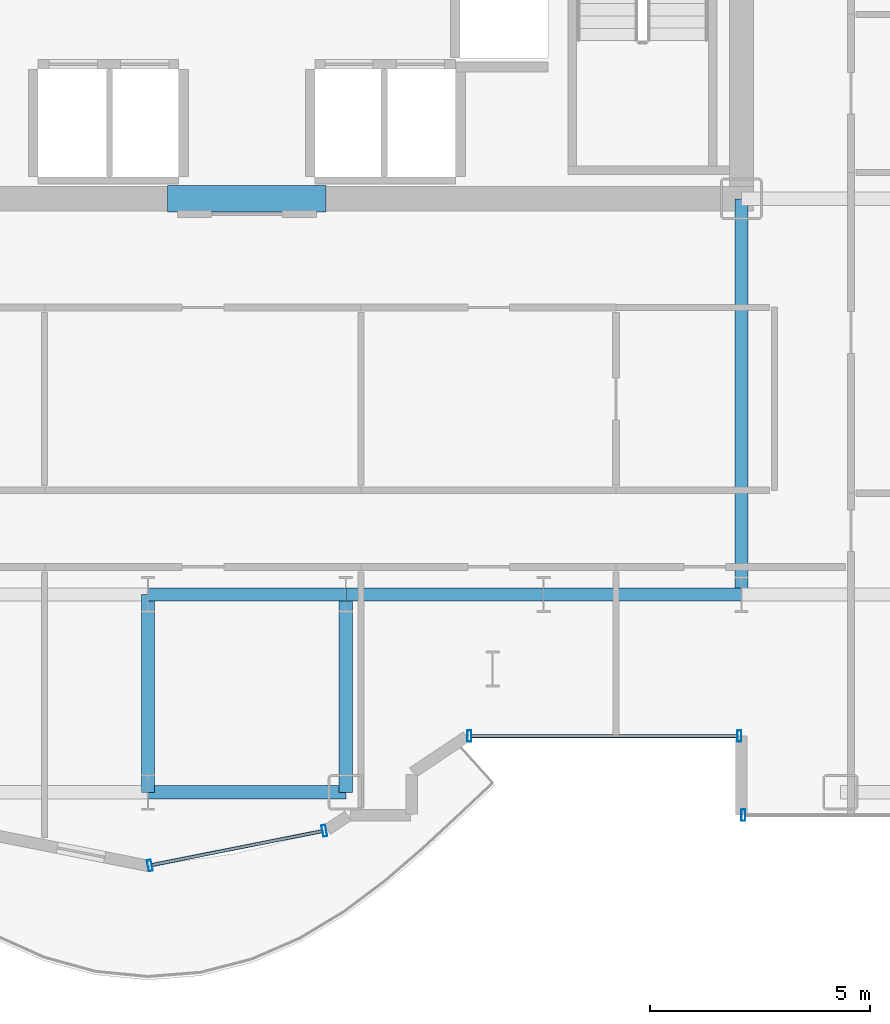
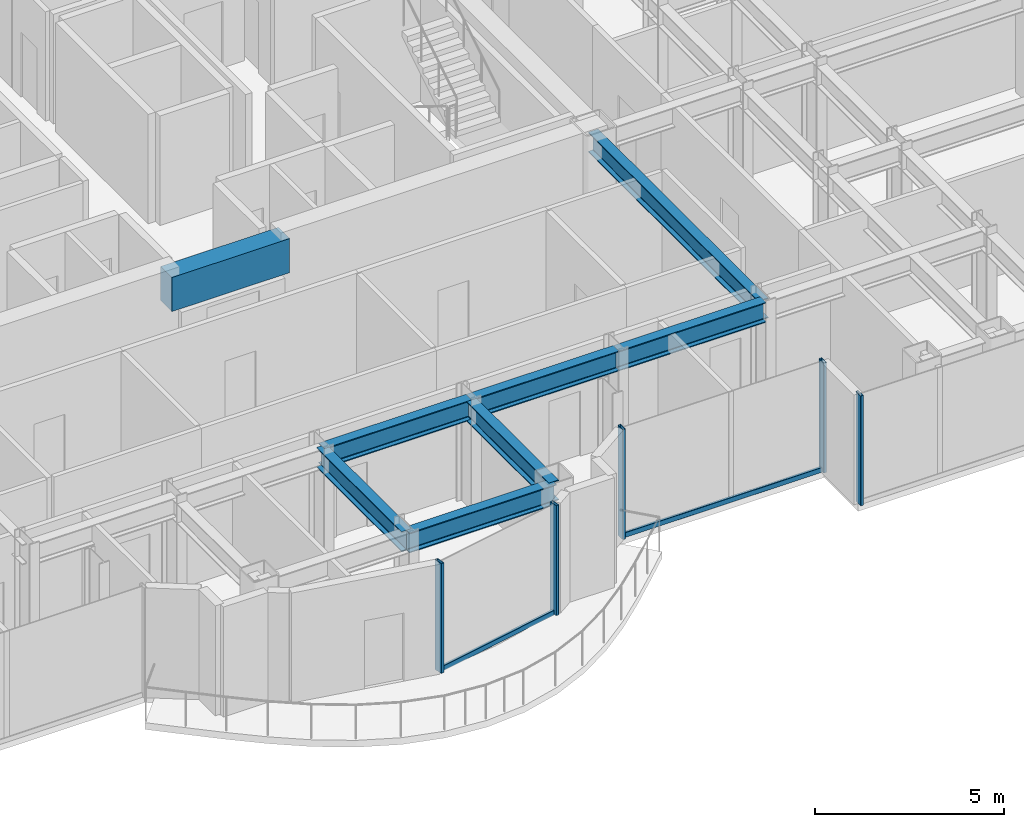
# One storey, part 7 of 23: 8 beams, 7 members, 3 elements without a shape of their own.
"""IFC4 building model written with IfcOpenShell, lengths in metres."""

from ifc_helpers import new_model, si_unit, direction, frame, origin, origin_2d, place, context, subcontext, project, spatial, rectangle, hollow_rectangle, i_section, extrude, source, transform, mapped, material, layer, layer_set, material_profile, profile_set, type_object, element, aggregate, save


model = new_model("IFC4")

# Units and contexts
model_context = context("Model", 3, precision=1e-05, world=origin(), true_north=direction((0.0, 1.0)))
body_context = subcontext(model_context, "Body", "Model", "MODEL_VIEW")
ifc_project = project(units=[si_unit("LENGTHUNIT", "METRE"), si_unit("AREAUNIT", "SQUARE_METRE"), si_unit("VOLUMEUNIT", "CUBIC_METRE"), si_unit("PLANEANGLEUNIT", "RADIAN"), si_unit("MASSUNIT", "GRAM", prefix="KILO")], contexts=[model_context])

# Site, building, storey
site_placement = place(None, origin())
site = spatial("IfcSite", under=ifc_project, at=site_placement, CompositionType="ELEMENT")
building_placement = place(site_placement, origin())
building = spatial("IfcBuilding", under=site, at=building_placement, Name="Nefas-Gora Pilgrimage Tower", CompositionType="ELEMENT")
storey_placement = place(building_placement, frame((0.0, 0.0, 156.39990234375)))
storey = spatial("IfcBuildingStorey", under=building, at=storey_placement, Name="L38", CompositionType="ELEMENT", Elevation=156.39990234375)

# Beams
ifc_material_1 = material(Name="Concrete C60/75", Category="concrete")
ifc_material_profile_1 = material_profile(ifc_material_1, rectangle(XDim=0.60009765625, YDim=1.10009765625, at=origin_2d()), Name="RC 600x1100")
ifc_profile_set_1 = profile_set([ifc_material_profile_1], Name="Concrete C60/75")
beam_type_1 = type_object("IfcBeamType", Name="BM-LIN-RC1100", PredefinedType="LINTEL", material=ifc_profile_set_1)
shared_shape_1 = source(origin(), body_context, "Body", "SweptSolid", [
    extrude(rectangle(XDim=0.60009765625, YDim=1.10009765625, at=origin_2d()), origin(), (0.0, 0.0, 1.0), 3.60009765625),
])
beam_1_placement = place(storey_placement, frame((-1.800048828125, -9.0, 3.0), z_axis=(1.0, 0.0, 0.0), x_axis=(0.0, 1.0, 0.0)))
element("IfcBeam", 1, at=beam_1_placement, inside=storey, type_object=beam_type_1, Name="L38 Core Coupling Lintel Beam S", PredefinedType="LINTEL", context=body_context, shape_type="MappedRepresentation", body=[
    mapped(shared_shape_1, transform((0.0, 0.0, 0.0), x_axis=(1.0, 0.0, 0.0), y_axis=(0.0, 1.0, 0.0), z_axis=(0.0, 0.0, 1.0), scale=1.0)),
])
ifc_material_2 = material(Name="Steel S355", Category="steel")
ifc_material_profile_2 = material_profile(ifc_material_2, i_section(OverallWidth=0.300048828125, OverallDepth=0.64990234375, WebThickness=0.01611328125, FlangeThickness=0.031005859375, FilletRadius=0.027099609375, at=origin_2d()), Name="HEB 650")
ifc_profile_set_2 = profile_set([ifc_material_profile_2], Name="Steel S355")
beam_type_2 = type_object("IfcBeamType", Name="BM-GIR-HEB650", PredefinedType="BEAM", material=ifc_profile_set_2)
shared_shape_2 = source(origin(), body_context, "Body", "SweptSolid", [
    extrude(i_section(OverallWidth=0.300048828125, OverallDepth=0.64990234375, WebThickness=0.01611328125, FlangeThickness=0.031005859375, FilletRadius=0.027099609375, at=origin_2d()), origin(), (0.0, 0.0, 1.0), 9.0),
])
beam_2_placement = place(storey_placement, frame((11.25, -18.0, 3.22509765625), z_axis=(0.0, 1.0, 0.0), x_axis=(-1.0, 0.0, 0.0)))
element("IfcBeam", 2, at=beam_2_placement, inside=storey, type_object=beam_type_2, Name="L38 G-03 beam", PredefinedType="BEAM", context=body_context, shape_type="MappedRepresentation", body=[
    mapped(shared_shape_2, transform((0.0, 0.0, 0.0), x_axis=(1.0, 0.0, 0.0), y_axis=(0.0, 1.0, 0.0), z_axis=(0.0, 0.0, 1.0), scale=1.0)),
])
shared_shape_3 = source(origin(), body_context, "Body", "SweptSolid", [
    extrude(i_section(OverallWidth=0.300048828125, OverallDepth=0.64990234375, WebThickness=0.01611328125, FlangeThickness=0.031005859375, FilletRadius=0.027099609375, at=origin_2d()), origin(), (0.0, 0.0, 1.0), 4.5),
])
for number, where, z_axis, x_axis, name in (
    (3, (-2.25, -22.5, 3.22509765625), (0.0, 1.0, 0.0), (-1.0, 0.0, 0.0), "L38 G-03 beam"),
    (4, (-2.25, -22.5, 3.22509765625), (1.0, 0.0, 0.0), (0.0, 1.0, 0.0), "L38 G-03 beam"),
    (5, (-2.25, -18.0, 3.22509765625), (1.0, 0.0, 0.0), (0.0, 1.0, 0.0), "L38 G-03 beam"),
    (6, (2.25, -22.5, 3.22509765625), (0.0, 1.0, 0.0), (-1.0, 0.0, 0.0), "L38 G-03 beam"),
    (7, (2.25, -18.0, 3.22509765625), (1.0, 0.0, 0.0), (0.0, 1.0, 0.0), "L38 G-03 beam"),
    (8, (6.75, -18.0, 3.22509765625), (1.0, 0.0, 0.0), (0.0, 1.0, 0.0), "L38 G-03 beam"),
):
    element("IfcBeam", number, at=place(storey_placement, frame(where, z_axis=z_axis, x_axis=x_axis)), inside=storey, type_object=beam_type_2, Name=name, PredefinedType="BEAM", context=body_context, shape_type="MappedRepresentation", body=[
        mapped(shared_shape_3, transform((0.0, 0.0, 0.0), x_axis=(1.0, 0.0, 0.0), y_axis=(0.0, 1.0, 0.0), z_axis=(0.0, 0.0, 1.0), scale=1.0)),
    ])

# Curtain wall, members
ifc_material_3 = material(Name="Dark ceramic-fritted solar-control aluminium-glass curtain wall", Category="aluminium")
ifc_layer_1 = layer(ifc_material_3, 0.219970703125)
ifc_layer_set_1 = layer_set([ifc_layer_1], Name="Dark ceramic-fritted solar-control aluminium-glass curtain wall")
curtain_wall_type_1 = type_object("IfcCurtainWallType", Name="CW-SYS-5", PredefinedType="NOTDEFINED", material=ifc_layer_set_1)
curtain_wall_1_placement = place(storey_placement, origin())
curtain_wall_1 = element("IfcCurtainWall", 9, at=curtain_wall_1_placement, inside=storey, type_object=curtain_wall_type_1, Name="L38 Unitised Curtain Wall CW5", PredefinedType="NOTDEFINED")
ifc_material_4 = material(Name="Anodised architectural aluminium", Category="aluminium")
ifc_material_profile_3 = material_profile(ifc_material_4, hollow_rectangle(XDim=0.090087890625, YDim=0.260009765625, WallThickness=0.006103515625, InnerFilletRadius=0.006103515625, OuterFilletRadius=0.011962890625, at=origin_2d()), Name="ALU MULLION 90x260")
ifc_profile_set_3 = profile_set([ifc_material_profile_3], Name="Anodised architectural aluminium")
member_type_1 = type_object("IfcMemberType", Name="CWM-MUL-5", PredefinedType="MULLION", material=ifc_profile_set_3)
shared_shape_4 = source(origin(), body_context, "Body", "SweptSolid", [
    extrude(hollow_rectangle(XDim=0.090087890625, YDim=0.260009765625, WallThickness=0.006103515625, InnerFilletRadius=0.006103515625, OuterFilletRadius=0.011962890625, at=origin_2d()), origin(), (0.0, 0.0, 1.0), 3.550048828125),
])
member_1_placement = place(storey_placement, frame((5.06298828125, -21.219970703125, 0.0), z_axis=(0.0, 0.0, 1.0), x_axis=(1.0, 0.0, 0.0)))
member_1 = element("IfcMember", 10, at=member_1_placement, type_object=member_type_1, Name="CW5 Mullion 1", PredefinedType="MULLION", context=body_context, shape_type="MappedRepresentation", body=[
    mapped(shared_shape_4, transform((0.0, 0.0, 0.0), x_axis=(1.0, 0.0, 0.0), y_axis=(0.0, 1.0, 0.0), z_axis=(0.0, 0.0, 1.0), scale=1.0)),
])
member_2_placement = place(storey_placement, frame((11.205078125, -21.219970703125, 0.0), z_axis=(0.0, 0.0, 1.0), x_axis=(1.0, 0.0, 0.0)))
member_2 = element("IfcMember", 11, at=member_2_placement, type_object=member_type_1, Name="CW5 Mullion 2", PredefinedType="MULLION", context=body_context, shape_type="MappedRepresentation", body=[
    mapped(shared_shape_4, transform((0.0, 0.0, 0.0), x_axis=(1.0, 0.0, 0.0), y_axis=(0.0, 1.0, 0.0), z_axis=(0.0, 0.0, 1.0), scale=1.0)),
])

curtain_wall_2_placement = place(storey_placement, origin())
curtain_wall_2 = element("IfcCurtainWall", 12, at=curtain_wall_2_placement, inside=storey, type_object=curtain_wall_type_1, Name="L38 Unitised Curtain Wall CW5", PredefinedType="NOTDEFINED")
member_3_placement = place(storey_placement, frame((-2.205810546875, -24.16357421875, 0.0), z_axis=(0.0, 0.0, 1.0), x_axis=(0.980782896852, 0.195102304554, 0.0)))
member_3 = element("IfcMember", 13, at=member_3_placement, type_object=member_type_1, Name="CW5 Mullion 1", PredefinedType="MULLION", context=body_context, shape_type="MappedRepresentation", body=[
    mapped(shared_shape_4, transform((0.0, 0.0, 0.0), x_axis=(1.0, 0.0, 0.0), y_axis=(0.0, 1.0, 0.0), z_axis=(0.0, 0.0, 1.0), scale=1.0)),
])
member_4_placement = place(storey_placement, frame((1.76318359375, -23.3740234375, 0.0), z_axis=(0.0, 0.0, 1.0), x_axis=(0.980782896852, 0.195102304554, 0.0)))
member_4 = element("IfcMember", 14, at=member_4_placement, type_object=member_type_1, Name="CW5 Mullion 2", PredefinedType="MULLION", context=body_context, shape_type="MappedRepresentation", body=[
    mapped(shared_shape_4, transform((0.0, 0.0, 0.0), x_axis=(1.0, 0.0, 0.0), y_axis=(0.0, 1.0, 0.0), z_axis=(0.0, 0.0, 1.0), scale=1.0)),
])

# Member
ifc_material_profile_4 = material_profile(ifc_material_4, hollow_rectangle(XDim=0.080078125, YDim=0.159912109375, WallThickness=0.00439453125, InnerFilletRadius=0.00439453125, OuterFilletRadius=0.009033203125, at=origin_2d()), Name="ALU TRANSOM 80x160")
ifc_profile_set_4 = profile_set([ifc_material_profile_4], Name="Anodised architectural aluminium")
member_type_2 = type_object("IfcMemberType", Name="CWM-TRN-5", PredefinedType="USERDEFINED", material=ifc_profile_set_4)
shared_shape_5 = source(origin(), body_context, "Body", "SweptSolid", [
    extrude(hollow_rectangle(XDim=0.080078125, YDim=0.159912109375, WallThickness=0.00439453125, InnerFilletRadius=0.00439453125, OuterFilletRadius=0.009033203125, at=origin_2d()), origin(), (0.0, 0.0, 1.0), 6.052001953125),
])
member_5_placement = place(storey_placement, frame((5.10791015625, -21.219970703125, 0.050048828125), z_axis=(1.0, 0.0, 0.0), x_axis=(0.0, 1.0, 0.0)))
member_5 = element("IfcMember", 15, at=member_5_placement, type_object=member_type_2, Name="CW5 Spandrel Transom", ObjectType="TRANSOM", PredefinedType="USERDEFINED", context=body_context, shape_type="MappedRepresentation", body=[
    mapped(shared_shape_5, transform((0.0, 0.0, 0.0), x_axis=(1.0, 0.0, 0.0), y_axis=(0.0, 1.0, 0.0), z_axis=(0.0, 0.0, 1.0), scale=1.0)),
])

aggregate(curtain_wall_1, [member_1, member_2, member_5])

shared_shape_6 = source(origin(), body_context, "Body", "SweptSolid", [
    extrude(hollow_rectangle(XDim=0.080078125, YDim=0.159912109375, WallThickness=0.00439453125, InnerFilletRadius=0.00439453125, OuterFilletRadius=0.009033203125, at=origin_2d()), origin(), (0.0, 0.0, 1.0), 3.95654296875),
])
member_6_placement = place(storey_placement, frame((-2.16162109375, -24.15478515625, 0.050048828125), z_axis=(0.980781880918, 0.195107411605, 0.0), x_axis=(-0.195107411605, 0.980781880918, 0.0)))
member_6 = element("IfcMember", 16, at=member_6_placement, type_object=member_type_2, Name="CW5 Spandrel Transom", ObjectType="TRANSOM", PredefinedType="USERDEFINED", context=body_context, shape_type="MappedRepresentation", body=[
    mapped(shared_shape_6, transform((0.0, 0.0, 0.0), x_axis=(1.0, 0.0, 0.0), y_axis=(0.0, 1.0, 0.0), z_axis=(0.0, 0.0, 1.0), scale=1.0)),
])

aggregate(curtain_wall_2, [member_3, member_4, member_6])

# Curtain wall, member
ifc_layer_2 = layer(ifc_material_3, 0.219970703125)
ifc_layer_set_2 = layer_set([ifc_layer_2], Name="Dark ceramic-fritted solar-control aluminium-glass curtain wall")
curtain_wall_type_2 = type_object("IfcCurtainWallType", Name="CW-SYS-3", PredefinedType="NOTDEFINED", material=ifc_layer_set_2)
curtain_wall_3_placement = place(storey_placement, origin())
curtain_wall_3 = element("IfcCurtainWall", 17, at=curtain_wall_3_placement, inside=storey, type_object=curtain_wall_type_2, Name="L38 Unitised Curtain Wall CW3", PredefinedType="NOTDEFINED")
ifc_material_profile_5 = material_profile(ifc_material_4, hollow_rectangle(XDim=0.090087890625, YDim=0.260009765625, WallThickness=0.006103515625, InnerFilletRadius=0.006103515625, OuterFilletRadius=0.011962890625, at=origin_2d()), Name="ALU MULLION 90x260")
ifc_profile_set_5 = profile_set([ifc_material_profile_5], Name="Anodised architectural aluminium")
member_type_3 = type_object("IfcMemberType", Name="CWM-MUL-3", PredefinedType="MULLION", material=ifc_profile_set_5)
shared_shape_7 = source(origin(), body_context, "Body", "SweptSolid", [
    extrude(hollow_rectangle(XDim=0.090087890625, YDim=0.260009765625, WallThickness=0.006103515625, InnerFilletRadius=0.006103515625, OuterFilletRadius=0.011962890625, at=origin_2d()), origin(), (0.0, 0.0, 1.0), 3.550048828125),
])
member_7_placement = place(storey_placement, frame((11.294921875, -23.02001953125, 0.0), z_axis=(0.0, 0.0, 1.0), x_axis=(1.0, 0.0, 0.0)))
member_7 = element("IfcMember", 18, at=member_7_placement, type_object=member_type_3, Name="CW3 Mullion 1", PredefinedType="MULLION", context=body_context, shape_type="MappedRepresentation", body=[
    mapped(shared_shape_7, transform((0.0, 0.0, 0.0), x_axis=(1.0, 0.0, 0.0), y_axis=(0.0, 1.0, 0.0), z_axis=(0.0, 0.0, 1.0), scale=1.0)),
])
aggregate(curtain_wall_3, [member_7])

save(model, "model.ifc")
